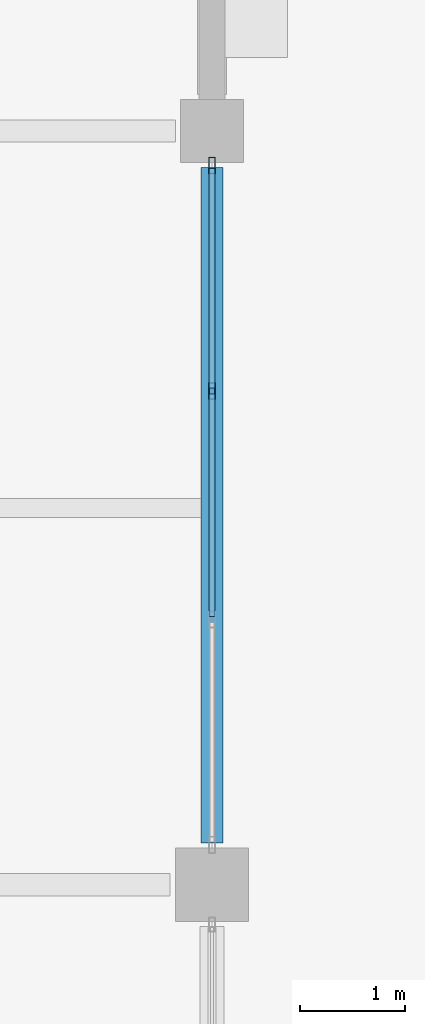
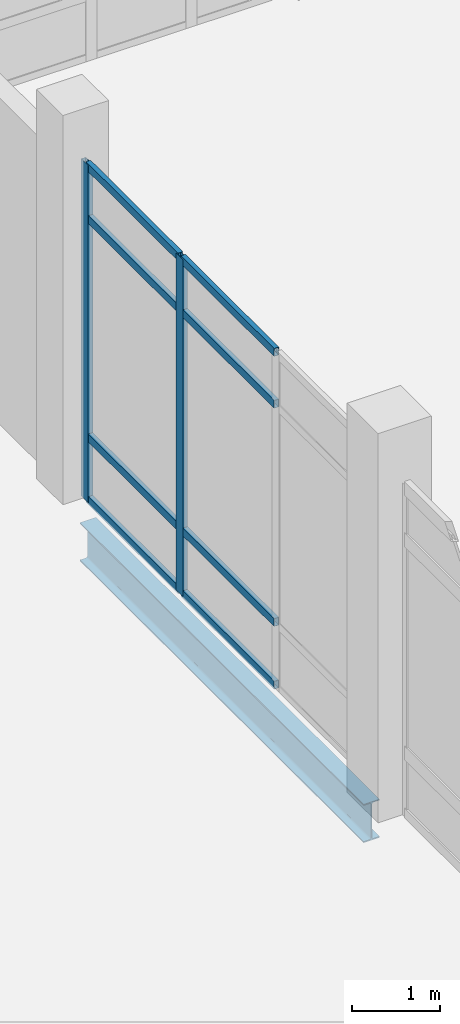
# One storey, part 76 of 229: 10 members, 1 beam, 1 element without a shape of its own.
"""IFC4 building model written with IfcOpenShell, lengths in metres."""

from ifc_helpers import new_model, si_unit, direction, frame, origin, origin_2d, place, context, subcontext, project, spatial, hollow_rectangle, i_section, extrude, material, layer, layer_set, material_profile, profile_set, type_object, element, aggregate, save


model = new_model("IFC4")

# Units and contexts
model_context = context("Model", 3, precision=1e-05, world=origin(), true_north=direction((0.0, 1.0)))
body_context = subcontext(model_context, "Body", "Model", "MODEL_VIEW")
ifc_project = project(units=[si_unit("LENGTHUNIT", "METRE"), si_unit("AREAUNIT", "SQUARE_METRE"), si_unit("VOLUMEUNIT", "CUBIC_METRE"), si_unit("PLANEANGLEUNIT", "RADIAN"), si_unit("MASSUNIT", "GRAM", prefix="KILO")], contexts=[model_context])

# Site, building, storey
site_placement = place(None, origin())
site = spatial("IfcSite", under=ifc_project, at=site_placement, CompositionType="ELEMENT")
building_placement = place(site_placement, origin())
building = spatial("IfcBuilding", under=site, at=building_placement, Name="Calvrana Isthmian Art Gallery", CompositionType="ELEMENT")
storey_placement = place(building_placement, origin())
storey = spatial("IfcBuildingStorey", under=building, at=storey_placement, Name="L00", CompositionType="ELEMENT", Elevation=0.0)

# Beam
ifc_material_1 = material(Name="Steel ASTM A992 Gr 50", Category="steel")
ifc_material_profile_1 = material_profile(ifc_material_1, i_section(OverallWidth=0.208984375, OverallDepth=0.532958984375, WebThickness=0.01025390625, FlangeThickness=0.015625, FilletRadius=0.02099609375, at=origin_2d()), Name="W21X62")
ifc_profile_set_1 = profile_set([ifc_material_profile_1], Name="Steel ASTM A992 Gr 50")
beam_type = type_object("IfcBeamType", Name="BM-G-W21X62", PredefinedType="BEAM", material=ifc_profile_set_1)
beam_placement = place(storey_placement, frame((14.39990234375, 84.39990234375, -0.551513671875), z_axis=(0.0, 1.0, 0.0), x_axis=(-1.0, 0.0, 0.0)))
element("IfcBeam", 1, at=beam_placement, inside=storey, type_object=beam_type, Name="Girder Y L00 03/L-M", PredefinedType="BEAM", context=body_context, shape_type="SweptSolid", body=[
    extrude(i_section(OverallWidth=0.208984375, OverallDepth=0.532958984375, WebThickness=0.01025390625, FlangeThickness=0.015625, FilletRadius=0.02099609375, at=origin_2d()), origin(), (0.0, 0.0, 1.0), 6.4501953125),
])

# Curtain wall, members
ifc_material_2 = material(Name="Anodized bronze aluminium 6063-T6", Category="aluminium")
ifc_layer = layer(ifc_material_2, 0.179931640625, Name="Anodized bronze aluminium 6063-T6")
ifc_layer_set = layer_set([ifc_layer], Name="Anodized bronze aluminium 6063-T6")
curtain_wall_type = type_object("IfcCurtainWallType", Name="CW-STICK-066X47", PredefinedType="NOTDEFINED", material=ifc_layer_set)
curtain_wall_placement = place(storey_placement, origin())
curtain_wall = element("IfcCurtainWall", 2, at=curtain_wall_placement, inside=storey, type_object=curtain_wall_type, Name="Curtain wall CW-055", PredefinedType="NOTDEFINED")
ifc_material_profile_2 = material_profile(ifc_material_2, hollow_rectangle(XDim=0.06005859375, YDim=0.159912109375, WallThickness=0.00390625, at=origin_2d()), Name="CWM60X160")
ifc_profile_set_2 = profile_set([ifc_material_profile_2], Name="Anodized bronze aluminium 6063-T6")
member_type_1 = type_object("IfcMemberType", Name="CWM-CWM60X160", PredefinedType="MULLION", material=ifc_profile_set_2)
member_1_placement = place(storey_placement, frame((14.39990234375, 90.8701171875, 0.0), z_axis=(0.0, 0.0, 1.0), x_axis=(1.0, 0.0, 0.0)))
member_1 = element("IfcMember", 3, at=member_1_placement, type_object=member_type_1, Name="CW-055 mullion 1", PredefinedType="MULLION", context=body_context, shape_type="SweptSolid", body=[
    extrude(hollow_rectangle(XDim=0.06005859375, YDim=0.159912109375, WallThickness=0.00390625, at=origin_2d()), origin(), (0.0, 0.0, 1.0), 4.677978515625),
])
member_2_placement = place(storey_placement, frame((14.39990234375, 88.716552734375, 0.0), z_axis=(0.0, 0.0, 1.0), x_axis=(1.0, 0.0, 0.0)))
member_2 = element("IfcMember", 4, at=member_2_placement, type_object=member_type_1, Name="CW-055 mullion 2", PredefinedType="MULLION", context=body_context, shape_type="SweptSolid", body=[
    extrude(hollow_rectangle(XDim=0.06005859375, YDim=0.159912109375, WallThickness=0.00390625, at=origin_2d()), origin(), (0.0, 0.0, 1.0), 4.677978515625),
])
ifc_material_profile_3 = material_profile(ifc_material_2, hollow_rectangle(XDim=0.06005859375, YDim=0.110107421875, WallThickness=0.00341796875, at=origin_2d()), Name="CWT60X110")
ifc_profile_set_3 = profile_set([ifc_material_profile_3], Name="Anodized bronze aluminium 6063-T6")
member_type_2 = type_object("IfcMemberType", Name="CWT-CWT60X110", PredefinedType="USERDEFINED", material=ifc_profile_set_3)
member_3_placement = place(storey_placement, frame((14.39990234375, 90.840087890625, 0.030029296875), z_axis=(0.0, -1.0, 0.0), x_axis=(1.0, 0.0, 0.0)))
member_3 = element("IfcMember", 5, at=member_3_placement, type_object=member_type_2, Name="CW-055 transom 1.1", ObjectType="TRANSOM", PredefinedType="USERDEFINED", context=body_context, shape_type="SweptSolid", body=[
    extrude(hollow_rectangle(XDim=0.06005859375, YDim=0.110107421875, WallThickness=0.00341796875, at=origin_2d()), origin(), (0.0, 0.0, 1.0), 2.093505859375),
])
member_4_placement = place(storey_placement, frame((14.39990234375, 90.840087890625, 0.89990234375), z_axis=(0.0, -1.0, 0.0), x_axis=(1.0, 0.0, 0.0)))
member_4 = element("IfcMember", 6, at=member_4_placement, type_object=member_type_2, Name="CW-055 transom 1.2", ObjectType="TRANSOM", PredefinedType="USERDEFINED", context=body_context, shape_type="SweptSolid", body=[
    extrude(hollow_rectangle(XDim=0.06005859375, YDim=0.110107421875, WallThickness=0.00341796875, at=origin_2d()), origin(), (0.0, 0.0, 1.0), 2.093505859375),
])
member_5_placement = place(storey_placement, frame((14.39990234375, 90.840087890625, 3.927978515625), z_axis=(0.0, -1.0, 0.0), x_axis=(1.0, 0.0, 0.0)))
member_5 = element("IfcMember", 7, at=member_5_placement, type_object=member_type_2, Name="CW-055 transom 1.3", ObjectType="TRANSOM", PredefinedType="USERDEFINED", context=body_context, shape_type="SweptSolid", body=[
    extrude(hollow_rectangle(XDim=0.06005859375, YDim=0.110107421875, WallThickness=0.00341796875, at=origin_2d()), origin(), (0.0, 0.0, 1.0), 2.093505859375),
])
member_6_placement = place(storey_placement, frame((14.39990234375, 90.840087890625, 4.64794921875), z_axis=(0.0, -1.0, 0.0), x_axis=(1.0, 0.0, 0.0)))
member_6 = element("IfcMember", 8, at=member_6_placement, type_object=member_type_2, Name="CW-055 transom 1.4", ObjectType="TRANSOM", PredefinedType="USERDEFINED", context=body_context, shape_type="SweptSolid", body=[
    extrude(hollow_rectangle(XDim=0.06005859375, YDim=0.110107421875, WallThickness=0.00341796875, at=origin_2d()), origin(), (0.0, 0.0, 1.0), 2.093505859375),
])
member_7_placement = place(storey_placement, frame((14.39990234375, 88.686767578125, 0.030029296875), z_axis=(0.0, -1.0, 0.0), x_axis=(1.0, 0.0, 0.0)))
member_7 = element("IfcMember", 9, at=member_7_placement, type_object=member_type_2, Name="CW-055 transom 2.1", ObjectType="TRANSOM", PredefinedType="USERDEFINED", context=body_context, shape_type="SweptSolid", body=[
    extrude(hollow_rectangle(XDim=0.06005859375, YDim=0.110107421875, WallThickness=0.00341796875, at=origin_2d()), origin(), (0.0, 0.0, 1.0), 2.12353515625),
])
member_8_placement = place(storey_placement, frame((14.39990234375, 88.686767578125, 0.89990234375), z_axis=(0.0, -1.0, 0.0), x_axis=(1.0, 0.0, 0.0)))
member_8 = element("IfcMember", 10, at=member_8_placement, type_object=member_type_2, Name="CW-055 transom 2.2", ObjectType="TRANSOM", PredefinedType="USERDEFINED", context=body_context, shape_type="SweptSolid", body=[
    extrude(hollow_rectangle(XDim=0.06005859375, YDim=0.110107421875, WallThickness=0.00341796875, at=origin_2d()), origin(), (0.0, 0.0, 1.0), 2.12353515625),
])
member_9_placement = place(storey_placement, frame((14.39990234375, 88.686767578125, 3.927978515625), z_axis=(0.0, -1.0, 0.0), x_axis=(1.0, 0.0, 0.0)))
member_9 = element("IfcMember", 11, at=member_9_placement, type_object=member_type_2, Name="CW-055 transom 2.3", ObjectType="TRANSOM", PredefinedType="USERDEFINED", context=body_context, shape_type="SweptSolid", body=[
    extrude(hollow_rectangle(XDim=0.06005859375, YDim=0.110107421875, WallThickness=0.00341796875, at=origin_2d()), origin(), (0.0, 0.0, 1.0), 2.12353515625),
])
member_10_placement = place(storey_placement, frame((14.39990234375, 88.686767578125, 4.64794921875), z_axis=(0.0, -1.0, 0.0), x_axis=(1.0, 0.0, 0.0)))
member_10 = element("IfcMember", 12, at=member_10_placement, type_object=member_type_2, Name="CW-055 transom 2.4", ObjectType="TRANSOM", PredefinedType="USERDEFINED", context=body_context, shape_type="SweptSolid", body=[
    extrude(hollow_rectangle(XDim=0.06005859375, YDim=0.110107421875, WallThickness=0.00341796875, at=origin_2d()), origin(), (0.0, 0.0, 1.0), 2.12353515625),
])
aggregate(curtain_wall, [member_1, member_2, member_3, member_4, member_5, member_6, member_7, member_8, member_9, member_10])

save(model, "model.ifc")
